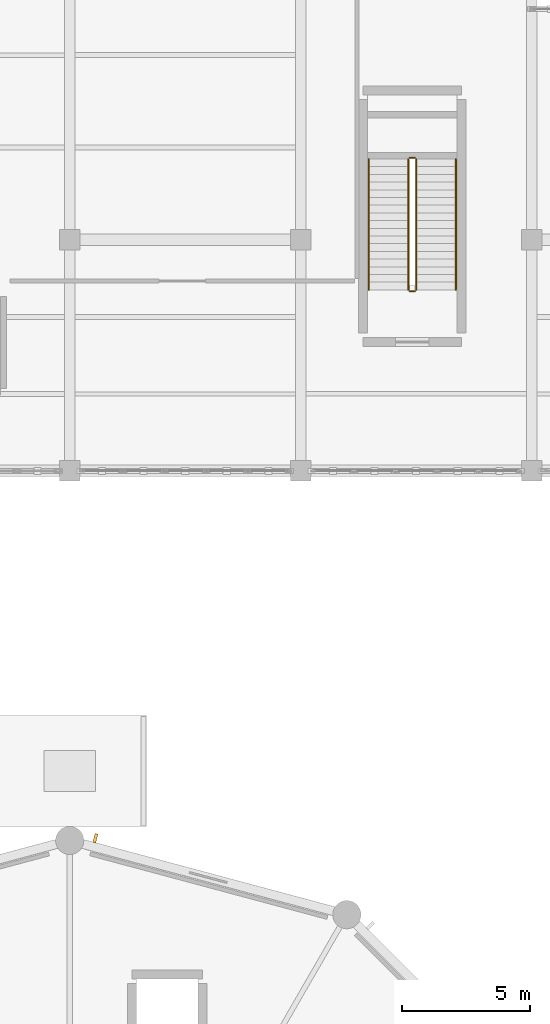
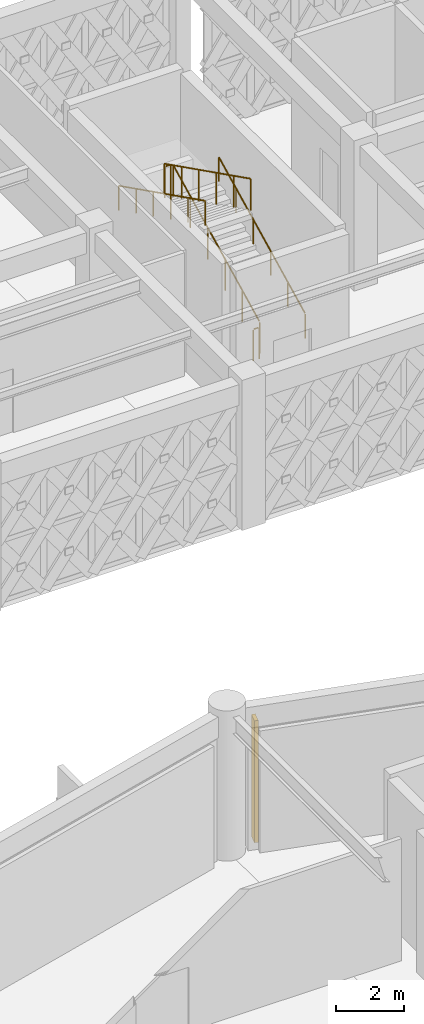
# One storey, part 85 of 86: 6 railings, 1 shading device.
"""IFC4 building model written with IfcOpenShell, lengths in metres."""

from ifc_helpers import new_model, si_unit, direction, frame, origin, origin_2d, place, context, subcontext, project, spatial, rectangle, circle, extrude, material, type_object, element, save


model = new_model("IFC4")

# Units and contexts
model_context = context("Model", 3, precision=1e-05, world=origin(), true_north=direction((0.0, 1.0)))
body_context = subcontext(model_context, "Body", "Model", "MODEL_VIEW")
ifc_project = project(units=[si_unit("LENGTHUNIT", "METRE"), si_unit("AREAUNIT", "SQUARE_METRE"), si_unit("VOLUMEUNIT", "CUBIC_METRE"), si_unit("PLANEANGLEUNIT", "RADIAN"), si_unit("MASSUNIT", "GRAM", prefix="KILO")], contexts=[model_context])

# Site, building, storey
site_placement = place(None, origin())
site = spatial("IfcSite", under=ifc_project, at=site_placement, CompositionType="ELEMENT")
building_placement = place(site_placement, origin())
building = spatial("IfcBuilding", under=site, at=building_placement, Name="Haizhuo Lancet Aquarium", CompositionType="ELEMENT")
storey_placement = place(building_placement, frame((0.0, 0.0, 16.199951171875)))
storey = spatial("IfcBuildingStorey", under=building, at=storey_placement, Name="L03", CompositionType="ELEMENT", Elevation=16.199951171875)

# Railings
ifc_material_1 = material(Name="Steel S355", Category="steel")
railing_type_1 = type_object("IfcRailingType", Name="RL-GRD-1150", PredefinedType="GUARDRAIL", material=ifc_material_1)
railing_1_placement = place(storey_placement, frame((13.5, 43.050048828125, 0.150146484375)))
element("IfcRailing", 1, at=railing_1_placement, inside=storey, type_object=railing_type_1, Name="L03 ST-08 stair guard 1", PredefinedType="GUARDRAIL", context=body_context, shape_type="SweptSolid", body=[
    extrude(circle(Radius=0.02392578125, at=origin_2d()), frame((0.0, 0.02685546875, 1.13916015625), z_axis=(0.0, 0.894435754537, 0.447196468016), x_axis=(-1.0, 0.0, 0.0)), (0.0, 0.0, 1.0), 5.641845703125),
    extrude(circle(Radius=0.02099609375, at=origin_2d()), origin(), (0.0, 0.0, 1.0), 1.097900390625),
    extrude(circle(Radius=0.02099609375, at=origin_2d()), frame((0.0, 1.02001953125, 0.510009765625)), (0.0, 0.0, 1.0), 1.097900390625),
    extrude(circle(Radius=0.02099609375, at=origin_2d()), frame((0.0, 2.0400390625, 1.02001953125)), (0.0, 0.0, 1.0), 1.097900390625),
    extrude(circle(Radius=0.02099609375, at=origin_2d()), frame((0.0, 3.059814453125, 1.52978515625)), (0.0, 0.0, 1.0), 1.097900390625),
    extrude(circle(Radius=0.02099609375, at=origin_2d()), frame((0.0, 4.079833984375, 2.039794921875)), (0.0, 0.0, 1.0), 1.097900390625),
    extrude(circle(Radius=0.02099609375, at=origin_2d()), frame((0.0, 5.099853515625, 2.5498046875)), (0.0, 0.0, 1.0), 1.097900390625),
])
railing_2_placement = place(storey_placement, frame((13.449951171875, 48.199951171875, 2.699951171875)))
element("IfcRailing", 2, at=railing_2_placement, inside=storey, type_object=railing_type_1, Name="L03 ST-08 stair guard 2", PredefinedType="GUARDRAIL", context=body_context, shape_type="SweptSolid", body=[
    extrude(circle(Radius=0.02392578125, at=origin_2d()), frame((-0.030029296875, 0.0, 1.1259765625), z_axis=(-1.0, 0.0, 0.0), x_axis=(0.0, -1.0, 0.0)), (0.0, 0.0, 1.0), 0.139892578125),
    extrude(circle(Radius=0.02099609375, at=origin_2d()), origin(), (0.0, 0.0, 1.0), 1.097900390625),
    extrude(circle(Radius=0.02099609375, at=origin_2d()), frame((-0.199951171875, 0.0, 0.0)), (0.0, 0.0, 1.0), 1.097900390625),
])
railing_3_placement = place(storey_placement, frame((13.199951171875, 48.14990234375, 2.85009765625)))
element("IfcRailing", 3, at=railing_3_placement, inside=storey, type_object=railing_type_1, Name="L03 ST-08 stair guard 3", PredefinedType="GUARDRAIL", context=body_context, shape_type="SweptSolid", body=[
    extrude(circle(Radius=0.02392578125, at=origin_2d()), frame((0.0, -0.02685546875, 1.13916015625), z_axis=(0.0, -0.894418627299, 0.447230722492), x_axis=(1.0, 0.0, 0.0)), (0.0, 0.0, 1.0), 5.641845703125),
    extrude(circle(Radius=0.02099609375, at=origin_2d()), origin(), (0.0, 0.0, 1.0), 1.097900390625),
    extrude(circle(Radius=0.02099609375, at=origin_2d()), frame((0.0, -1.02001953125, 0.510009765625)), (0.0, 0.0, 1.0), 1.097900390625),
    extrude(circle(Radius=0.02099609375, at=origin_2d()), frame((0.0, -2.0400390625, 1.02001953125)), (0.0, 0.0, 1.0), 1.097900390625),
    extrude(circle(Radius=0.02099609375, at=origin_2d()), frame((0.0, -3.059814453125, 1.530029296875)), (0.0, 0.0, 1.0), 1.097900390625),
    extrude(circle(Radius=0.02099609375, at=origin_2d()), frame((0.0, -4.079833984375, 2.0400390625)), (0.0, 0.0, 1.0), 1.097900390625),
    extrude(circle(Radius=0.02099609375, at=origin_2d()), frame((0.0, -5.099853515625, 2.550048828125)), (0.0, 0.0, 1.0), 1.097900390625),
])
railing_4_placement = place(storey_placement, frame((13.449951171875, 43.0, 0.0)))
element("IfcRailing", 4, at=railing_4_placement, inside=storey, type_object=railing_type_1, Name="L03 ST-08 stair guard 4", PredefinedType="GUARDRAIL", context=body_context, shape_type="SweptSolid", body=[
    extrude(circle(Radius=0.02392578125, at=origin_2d()), frame((-0.030029296875, 0.0, 1.1259765625), z_axis=(-1.0, 0.0, 0.0), x_axis=(0.0, -1.0, 0.0)), (0.0, 0.0, 1.0), 0.139892578125),
    extrude(circle(Radius=0.02099609375, at=origin_2d()), origin(), (0.0, 0.0, 1.0), 1.097900390625),
    extrude(circle(Radius=0.02099609375, at=origin_2d()), frame((-0.199951171875, 0.0, 0.0)), (0.0, 0.0, 1.0), 1.097900390625),
])
railing_type_2 = type_object("IfcRailingType", Name="RL-HDR-900", PredefinedType="HANDRAIL", material=ifc_material_1)
railing_5_placement = place(storey_placement, frame((15.050048828125, 43.050048828125, 0.150146484375)))
element("IfcRailing", 5, at=railing_5_placement, inside=storey, type_object=railing_type_2, Name="L03 ST-08 pitch handrail 1", PredefinedType="HANDRAIL", context=body_context, shape_type="SweptSolid", body=[
    extrude(circle(Radius=0.02392578125, at=origin_2d()), frame((0.0, 0.02685546875, 0.88916015625), z_axis=(0.0, 0.894435754537, 0.447196468016), x_axis=(-1.0, 0.0, 0.0)), (0.0, 0.0, 1.0), 5.641845703125),
    extrude(circle(Radius=0.02099609375, at=origin_2d()), origin(), (0.0, 0.0, 1.0), 0.847900390625),
    extrude(circle(Radius=0.02099609375, at=origin_2d()), frame((0.0, 1.02001953125, 0.510009765625)), (0.0, 0.0, 1.0), 0.847900390625),
    extrude(circle(Radius=0.02099609375, at=origin_2d()), frame((0.0, 2.0400390625, 1.02001953125)), (0.0, 0.0, 1.0), 0.847900390625),
    extrude(circle(Radius=0.02099609375, at=origin_2d()), frame((0.0, 3.059814453125, 1.52978515625)), (0.0, 0.0, 1.0), 0.847900390625),
    extrude(circle(Radius=0.02099609375, at=origin_2d()), frame((0.0, 4.079833984375, 2.039794921875)), (0.0, 0.0, 1.0), 0.847900390625),
    extrude(circle(Radius=0.02099609375, at=origin_2d()), frame((0.0, 5.099853515625, 2.5498046875)), (0.0, 0.0, 1.0), 0.847900390625),
])
railing_6_placement = place(storey_placement, frame((11.64990234375, 48.14990234375, 2.85009765625)))
element("IfcRailing", 6, at=railing_6_placement, inside=storey, type_object=railing_type_2, Name="L03 ST-08 pitch handrail 2", PredefinedType="HANDRAIL", context=body_context, shape_type="SweptSolid", body=[
    extrude(circle(Radius=0.02392578125, at=origin_2d()), frame((0.0, -0.02685546875, 0.88916015625), z_axis=(0.0, -0.894418627299, 0.447230722492), x_axis=(1.0, 0.0, 0.0)), (0.0, 0.0, 1.0), 5.641845703125),
    extrude(circle(Radius=0.02099609375, at=origin_2d()), origin(), (0.0, 0.0, 1.0), 0.847900390625),
    extrude(circle(Radius=0.02099609375, at=origin_2d()), frame((0.0, -1.02001953125, 0.510009765625)), (0.0, 0.0, 1.0), 0.847900390625),
    extrude(circle(Radius=0.02099609375, at=origin_2d()), frame((0.0, -2.0400390625, 1.02001953125)), (0.0, 0.0, 1.0), 0.847900390625),
    extrude(circle(Radius=0.02099609375, at=origin_2d()), frame((0.0, -3.059814453125, 1.530029296875)), (0.0, 0.0, 1.0), 0.847900390625),
    extrude(circle(Radius=0.02099609375, at=origin_2d()), frame((0.0, -4.079833984375, 2.0400390625)), (0.0, 0.0, 1.0), 0.847900390625),
    extrude(circle(Radius=0.02099609375, at=origin_2d()), frame((0.0, -5.099853515625, 2.550048828125)), (0.0, 0.0, 1.0), 0.847900390625),
])

# Shading device
ifc_material_2 = material(Name="Shandong Grey Limestone Ashlar", Category="masonry")
shading_device_type = type_object("IfcShadingDeviceType", Name="SHD-LAN-FIN", PredefinedType="JALOUSIE", material=ifc_material_2)
shading_device_placement = place(storey_placement, frame((1.001953125, 21.68896484375, -0.00048828125), z_axis=(0.0, 0.0, 1.0), x_axis=(0.965918561675, -0.258846155491, 0.0)))
element("IfcShadingDevice", 7, at=shading_device_placement, inside=storey, type_object=shading_device_type, material=ifc_material_2, Name="L03 Gothic lancet stone solar fin 27", PredefinedType="JALOUSIE", context=body_context, shape_type="SweptSolid", body=[
    extrude(rectangle(XDim=0.1201171875, YDim=0.35009765625, at=origin_2d()), origin(), (0.0, 0.0, 1.0), 4.385009765625),
])

save(model, "model.ifc")
